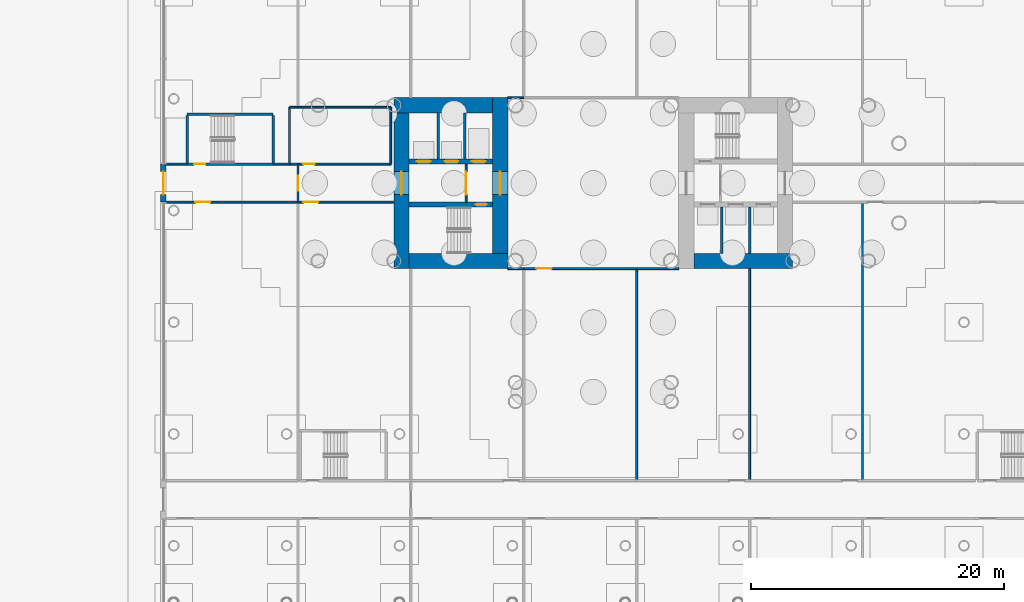
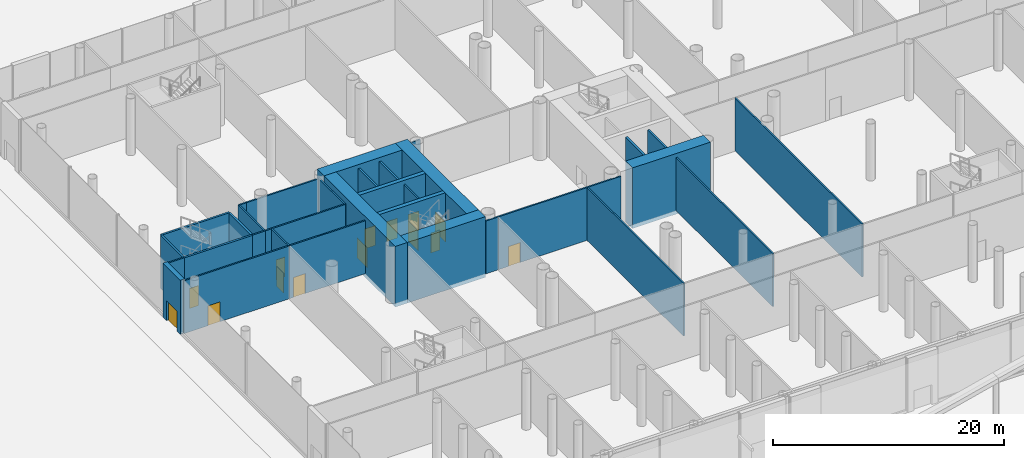
# One storey, part 29 of 75: 34 walls, 14 doors, 14 openings.
"""IFC4 building model written with IfcOpenShell, lengths in metres."""

from ifc_helpers import new_model, si_unit, direction, frame, frame_2d, origin, place, context, subcontext, project, spatial, rectangle, extrude, material, layer, layer_set, type_object, element, fill, save


model = new_model("IFC4")

# Units and contexts
model_context = context("Model", 3, precision=1e-05, world=origin(), true_north=direction((0.0, 1.0)))
body_context = subcontext(model_context, "Body", "Model", "MODEL_VIEW")
ifc_project = project(units=[si_unit("LENGTHUNIT", "METRE"), si_unit("AREAUNIT", "SQUARE_METRE"), si_unit("VOLUMEUNIT", "CUBIC_METRE"), si_unit("PLANEANGLEUNIT", "RADIAN"), si_unit("MASSUNIT", "GRAM", prefix="KILO")], contexts=[model_context])

# Site, building, storey
site_placement = place(None, origin())
site = spatial("IfcSite", under=ifc_project, at=site_placement, CompositionType="ELEMENT")
building_placement = place(site_placement, origin())
building = spatial("IfcBuilding", under=site, at=building_placement, Name="Ipe Terrace Towers", CompositionType="ELEMENT")
storey_placement = place(building_placement, origin())
storey = spatial("IfcBuildingStorey", under=building, at=storey_placement, Name="L00", CompositionType="ELEMENT", Elevation=0.0)

# Wall, opening, door
ifc_material_1 = material(Name="Gypsum board partition", Category="plasterboard")
ifc_layer_1 = layer(ifc_material_1, 0.14990234375)
ifc_layer_set_1 = layer_set([ifc_layer_1], Name="Gypsum board partition 150 mm")
wall_type_1 = type_object("IfcWallType", Name="Gypsum board partition 150 mm", PredefinedType="PARTITIONING", material=ifc_layer_set_1)
wall_1_placement = place(storey_placement, frame((-46.050048828125, 1.5, 0.0), z_axis=(0.0, 0.0, 1.0), x_axis=(0.0, -1.0, 0.0)))
wall_1 = element("IfcWall", 1, at=wall_1_placement, inside=storey, type_object=wall_type_1, Name="Gypsum board partition T1 L00 t1c2-lobby-wall", PredefinedType="PARTITIONING", context=body_context, shape_type="SweptSolid", body=[
    extrude(rectangle(XDim=3.0, YDim=0.14990234375, at=frame_2d((1.5, 0.0))), origin(), (0.0, 0.0, 1.0), 5.580078125),
])
opening_1_placement = place(wall_1_placement, frame((0.60009765625, 0.0, 0.0)))
opening_1 = element("IfcOpeningElement", 2, at=opening_1_placement, cuts=wall_1, Name="Opening T1C2-VD", PredefinedType="OPENING", context=body_context, shape_type="SweptSolid", body=[
    extrude(rectangle(XDim=1.800048828125, YDim=2.10009765625, at=frame_2d((0.89990234375, 1.050048828125))), frame((0.0, 0.0849609375, 0.0), z_axis=(0.0, -1.0, 0.0), x_axis=(1.0, 0.0, 0.0)), (0.0, 0.0, 1.0), 0.169921875),
])
ifc_material_2 = material(Name="Fire-rated timber door leaf", Category="wood")
door_type_1 = type_object("IfcDoorType", Name="Lobby door 1800 x 2100 FD60", OperationType="NOTDEFINED", PredefinedType="DOOR", material=ifc_material_2)
door_1_placement = place(opening_1_placement, origin())
door_1 = element("IfcDoor", 3, at=door_1_placement, inside=storey, type_object=door_type_1, Name="Lobby door T1C2-VD", OperationType="SINGLE_SWING_LEFT", OverallHeight=2.10009765625, OverallWidth=1.800048828125, PredefinedType="DOOR", context=body_context, shape_type="SweptSolid", body=[
    extrude(rectangle(XDim=1.800048828125, YDim=2.10009765625, at=frame_2d((0.89990234375, 1.050048828125))), frame((0.0, 0.02490234375, 0.0), z_axis=(0.0, -1.0, 0.0), x_axis=(1.0, 0.0, 0.0)), (0.0, 0.0, 1.0), 0.050048828125),
])
fill(opening_1, door_1)

# Walls
wall_2_placement = place(storey_placement, frame((-60.0, 1.5, 0.0), z_axis=(0.0, 0.0, 1.0), x_axis=(-1.0, 0.0, 0.0)))
element("IfcWall", 4, at=wall_2_placement, inside=storey, type_object=wall_type_1, Name="Gypsum board partition T1 L00 pd-r0-w0", PredefinedType="PARTITIONING", context=body_context, shape_type="SweptSolid", body=[
    extrude(rectangle(XDim=1.2900390625, YDim=0.14990234375, at=frame_2d((0.64501953125, 0.0))), origin(), (0.0, 0.0, 1.0), 5.580078125),
])
wall_3_placement = place(storey_placement, frame((-68.090087890625, 1.5, 0.0), z_axis=(0.0, 0.0, 1.0), x_axis=(-1.0, 0.0, 0.0)))
element("IfcWall", 5, at=wall_3_placement, inside=storey, type_object=wall_type_1, Name="Gypsum board partition T1 L00 pd-r0-w1", PredefinedType="PARTITIONING", context=body_context, shape_type="SweptSolid", body=[
    extrude(rectangle(XDim=1.760009765625, YDim=0.14990234375, at=frame_2d((0.8798828125, 0.0))), origin(), (0.0, 0.0, 1.0), 5.580078125),
])

# Wall, opening, door
wall_4_placement = place(storey_placement, frame((-69.85009765625, -1.5, 0.0), z_axis=(0.0, 0.0, 1.0), x_axis=(1.0, 0.0, 0.0)))
wall_4 = element("IfcWall", 6, at=wall_4_placement, inside=storey, type_object=wall_type_1, Name="Gypsum board partition T1 L00 pd-r2-w6", PredefinedType="PARTITIONING", context=body_context, shape_type="SweptSolid", body=[
    extrude(rectangle(XDim=10.52001953125, YDim=0.14990234375, at=frame_2d((5.260009765625, 0.0))), origin(), (0.0, 0.0, 1.0), 5.580078125),
])
opening_2_placement = place(wall_4_placement, frame((2.39990234375, 0.0, 0.0)))
opening_2 = element("IfcOpeningElement", 7, at=opening_2_placement, cuts=wall_4, Name="Opening PD-L00-r2", PredefinedType="OPENING", context=body_context, shape_type="SweptSolid", body=[
    extrude(rectangle(XDim=1.199951171875, YDim=2.10009765625, at=frame_2d((0.60009765625, 1.050048828125))), frame((0.0, 0.0849609375, 0.0), z_axis=(0.0, -1.0, 0.0), x_axis=(1.0, 0.0, 0.0)), (0.0, 0.0, 1.0), 0.169921875),
])
ifc_material_3 = material(Name="Fire-rated timber door leaf", Category="wood")
door_type_2 = type_object("IfcDoorType", Name="Lounge door 1200 x 2100 FD30S", OperationType="NOTDEFINED", PredefinedType="DOOR", material=ifc_material_3)
door_2_placement = place(opening_2_placement, origin())
door_2 = element("IfcDoor", 8, at=door_2_placement, inside=storey, type_object=door_type_2, Name="Lounge door PD-L00-r2", OperationType="SINGLE_SWING_RIGHT", OverallHeight=2.10009765625, OverallWidth=1.199951171875, PredefinedType="DOOR", context=body_context, shape_type="SweptSolid", body=[
    extrude(rectangle(XDim=1.199951171875, YDim=2.10009765625, at=frame_2d((0.60009765625, 1.050048828125))), frame((0.0, 0.02490234375, 0.0), z_axis=(0.0, -1.0, 0.0), x_axis=(1.0, 0.0, 0.0)), (0.0, 0.0, 1.0), 0.050048828125),
])
fill(opening_2, door_2)

wall_5_placement = place(storey_placement, frame((-59.330078125, -1.5, 0.0), z_axis=(0.0, 0.0, 1.0), x_axis=(1.0, 0.0, 0.0)))
wall_5 = element("IfcWall", 9, at=wall_5_placement, inside=storey, type_object=wall_type_1, Name="Gypsum board partition T1 L00 pd-r5-w13", PredefinedType="PARTITIONING", context=body_context, shape_type="SweptSolid", body=[
    extrude(rectangle(XDim=7.580078125, YDim=0.14990234375, at=frame_2d((3.7900390625, 0.0))), origin(), (0.0, 0.0, 1.0), 5.580078125),
])
opening_3_placement = place(wall_5_placement, frame((0.39990234375, 0.0, 0.0)))
opening_3 = element("IfcOpeningElement", 10, at=opening_3_placement, cuts=wall_5, Name="Opening PD-L00-r5", PredefinedType="OPENING", context=body_context, shape_type="SweptSolid", body=[
    extrude(rectangle(XDim=1.199951171875, YDim=2.10009765625, at=frame_2d((0.60009765625, 1.050048828125))), frame((0.0, 0.0849609375, 0.0), z_axis=(0.0, -1.0, 0.0), x_axis=(1.0, 0.0, 0.0)), (0.0, 0.0, 1.0), 0.169921875),
])
door_3_placement = place(opening_3_placement, origin())
door_3 = element("IfcDoor", 11, at=door_3_placement, inside=storey, type_object=door_type_2, Name="Lounge door PD-L00-r5", OperationType="SINGLE_SWING_RIGHT", OverallHeight=2.10009765625, OverallWidth=1.199951171875, PredefinedType="DOOR", context=body_context, shape_type="SweptSolid", body=[
    extrude(rectangle(XDim=1.199951171875, YDim=2.10009765625, at=frame_2d((0.60009765625, 1.050048828125))), frame((0.0, 0.02490234375, 0.0), z_axis=(0.0, -1.0, 0.0), x_axis=(1.0, 0.0, 0.0)), (0.0, 0.0, 1.0), 0.050048828125),
])
fill(opening_3, door_3)

# Walls
for number, where, z_axis, x_axis, name in (
    (12, (-42.75, -6.75, 0.0), (0.0, 0.0, 1.0), (1.0, 0.0, 0.0), "Gypsum board partition T1 L00 pd-r9-w19"),
    (13, (-41.489990234375, 6.75, 0.0), (0.0, 0.0, 1.0), (-1.0, 0.0, 0.0), "Gypsum board partition T1 L00 pd-r11-w25"),
):
    element("IfcWall", number, at=place(storey_placement, frame(where, z_axis=z_axis, x_axis=x_axis)), inside=storey, type_object=wall_type_1, Name=name, PredefinedType="PARTITIONING", context=body_context, shape_type="SweptSolid", body=[
        extrude(rectangle(XDim=1.260009765625, YDim=0.14990234375, at=frame_2d((0.6298828125, 0.0))), origin(), (0.0, 0.0, 1.0), 5.580078125),
    ])

# Wall, opening, door
wall_6_placement = place(storey_placement, frame((-41.489990234375, -6.75, 0.0), z_axis=(0.0, 0.0, 1.0), x_axis=(1.0, 0.0, 0.0)))
wall_6 = element("IfcWall", 14, at=wall_6_placement, inside=storey, type_object=wall_type_1, Name="Gypsum board partition T1 L00 pd-r13-w31", PredefinedType="PARTITIONING", context=body_context, shape_type="SweptSolid", body=[
    extrude(rectangle(XDim=8.919921875, YDim=0.14990234375, at=frame_2d((4.4599609375, 0.0))), origin(), (0.0, 0.0, 1.0), 5.580078125),
])
opening_4_placement = place(wall_6_placement, frame((1.0, 0.0, 0.0)))
opening_4 = element("IfcOpeningElement", 15, at=opening_4_placement, cuts=wall_6, Name="Opening PD-L00-r13", PredefinedType="OPENING", context=body_context, shape_type="SweptSolid", body=[
    extrude(rectangle(XDim=1.199951171875, YDim=2.10009765625, at=frame_2d((0.60009765625, 1.050048828125))), frame((0.0, 0.0849609375, 0.0), z_axis=(0.0, -1.0, 0.0), x_axis=(1.0, 0.0, 0.0)), (0.0, 0.0, 1.0), 0.169921875),
])
door_4_placement = place(opening_4_placement, origin())
door_4 = element("IfcDoor", 16, at=door_4_placement, inside=storey, type_object=door_type_2, Name="Lounge door PD-L00-r13", OperationType="SINGLE_SWING_RIGHT", OverallHeight=2.10009765625, OverallWidth=1.199951171875, PredefinedType="DOOR", context=body_context, shape_type="SweptSolid", body=[
    extrude(rectangle(XDim=1.199951171875, YDim=2.10009765625, at=frame_2d((0.60009765625, 1.050048828125))), frame((0.0, 0.02490234375, 0.0), z_axis=(0.0, -1.0, 0.0), x_axis=(1.0, 0.0, 0.0)), (0.0, 0.0, 1.0), 0.050048828125),
])
fill(opening_4, door_4)

# Walls
wall_7_placement = place(storey_placement, frame((-32.570068359375, -6.75, 0.0), z_axis=(0.0, 0.0, 1.0), x_axis=(0.0, -1.0, 0.0)))
element("IfcWall", 17, at=wall_7_placement, inside=storey, type_object=wall_type_1, Name="Gypsum board partition T1 L00 pd-r13-r17-w34", PredefinedType="PARTITIONING", context=body_context, shape_type="SweptSolid", body=[
    extrude(rectangle(XDim=16.75, YDim=0.14990234375, at=frame_2d((8.375, 0.0))), origin(), (0.0, 0.0, 1.0), 5.580078125),
])
wall_8_placement = place(storey_placement, frame((-32.570068359375, -6.75, 0.0), z_axis=(0.0, 0.0, 1.0), x_axis=(1.0, 0.0, 0.0)))
element("IfcWall", 18, at=wall_8_placement, inside=storey, type_object=wall_type_1, Name="Gypsum board partition T1 L00 pd-r17-w42", PredefinedType="PARTITIONING", context=body_context, shape_type="SweptSolid", body=[
    extrude(rectangle(XDim=3.320068359375, YDim=0.14990234375, at=frame_2d((1.66015625, 0.0))), origin(), (0.0, 0.0, 1.0), 5.580078125),
])
wall_9_placement = place(storey_placement, frame((-23.64990234375, -6.75, 0.0), z_axis=(0.0, 0.0, 1.0), x_axis=(0.0, -1.0, 0.0)))
element("IfcWall", 19, at=wall_9_placement, inside=storey, type_object=wall_type_1, Name="Gypsum board partition T1 L00 pd-r17-r22-w44", PredefinedType="PARTITIONING", context=body_context, shape_type="SweptSolid", body=[
    extrude(rectangle(XDim=16.75, YDim=0.14990234375, at=frame_2d((8.375, 0.0))), origin(), (0.0, 0.0, 1.0), 5.580078125),
])
wall_10_placement = place(storey_placement, frame((-14.72998046875, -1.5, 0.0), z_axis=(0.0, 0.0, 1.0), x_axis=(0.0, -1.0, 0.0)))
element("IfcWall", 20, at=wall_10_placement, inside=storey, type_object=wall_type_1, Name="Gypsum board partition T1 L00 pd-r22-r25-w56", PredefinedType="PARTITIONING", context=body_context, shape_type="SweptSolid", body=[
    extrude(rectangle(XDim=22.0, YDim=0.14990234375, at=frame_2d((11.0, 0.0))), origin(), (0.0, 0.0, 1.0), 5.580078125),
])

# Wall, opening, door
wall_11_placement = place(storey_placement, frame((-60.0, 1.5, 0.0), z_axis=(0.0, 0.0, 1.0), x_axis=(1.0, 0.0, 0.0)))
wall_11 = element("IfcWall", 21, at=wall_11_placement, inside=storey, type_object=wall_type_1, Name="Gypsum board partition T1 L00 pd-c0-w66", PredefinedType="PARTITIONING", context=body_context, shape_type="SweptSolid", body=[
    extrude(rectangle(XDim=8.0, YDim=0.14990234375, at=frame_2d((4.0, 0.0))), origin(), (0.0, 0.0, 1.0), 5.580078125),
])
opening_5_placement = place(wall_11_placement, frame((1.10009765625, 0.0, 0.0)))
opening_5 = element("IfcOpeningElement", 22, at=opening_5_placement, cuts=wall_11, Name="Opening PD-L00-c0", PredefinedType="OPENING", context=body_context, shape_type="SweptSolid", body=[
    extrude(rectangle(XDim=0.89990234375, YDim=2.10009765625, at=frame_2d((0.449951171875, 1.050048828125))), frame((0.0, 0.0849609375, 0.0), z_axis=(0.0, -1.0, 0.0), x_axis=(1.0, 0.0, 0.0)), (0.0, 0.0, 1.0), 0.169921875),
])
ifc_material_4 = material(Name="Fire-rated timber door leaf", Category="wood")
door_type_3 = type_object("IfcDoorType", Name="Lounge door 900 x 2100 FD30S", OperationType="NOTDEFINED", PredefinedType="DOOR", material=ifc_material_4)
door_5_placement = place(opening_5_placement, origin())
door_5 = element("IfcDoor", 23, at=door_5_placement, inside=storey, type_object=door_type_3, Name="Lounge door PD-L00-c0", OperationType="SINGLE_SWING_LEFT", OverallHeight=2.10009765625, OverallWidth=0.89990234375, PredefinedType="DOOR", context=body_context, shape_type="SweptSolid", body=[
    extrude(rectangle(XDim=0.89990234375, YDim=2.10009765625, at=frame_2d((0.449951171875, 1.050048828125))), frame((0.0, 0.02490234375, 0.0), z_axis=(0.0, -1.0, 0.0), x_axis=(1.0, 0.0, 0.0)), (0.0, 0.0, 1.0), 0.050048828125),
])
fill(opening_5, door_5)

# Walls
wall_12_placement = place(storey_placement, frame((-59.31005859375, 6.0, 0.0), z_axis=(0.0, 0.0, 1.0), x_axis=(-1.0, 0.0, 0.0)))
element("IfcWall", 24, at=wall_12_placement, inside=storey, type_object=wall_type_1, Name="Gypsum board partition T1 L00 pd-c0-r0-w67", PredefinedType="PARTITIONING", context=body_context, shape_type="SweptSolid", body=[
    extrude(rectangle(XDim=0.68994140625, YDim=0.14990234375, at=frame_2d((0.344970703125, 0.0))), origin(), (0.0, 0.0, 1.0), 5.580078125),
])
for number, where, z_axis, x_axis, name in (
    (25, (-60.0, 6.0, 0.0), (0.0, 0.0, 1.0), (0.0, -1.0, 0.0), "Gypsum board partition T1 L00 pd-c0-r0-w68"),
    (26, (-52.0, 1.5, 0.0), (0.0, 0.0, 1.0), (0.0, 1.0, 0.0), "Gypsum board partition T1 L00 pd-c0-r7-w69"),
):
    element("IfcWall", number, at=place(storey_placement, frame(where, z_axis=z_axis, x_axis=x_axis)), inside=storey, type_object=wall_type_1, Name=name, PredefinedType="PARTITIONING", context=body_context, shape_type="SweptSolid", body=[
        extrude(rectangle(XDim=4.5, YDim=0.14990234375, at=frame_2d((2.25, 0.0))), origin(), (0.0, 0.0, 1.0), 5.580078125),
    ])
wall_13_placement = place(storey_placement, frame((-52.0, 6.0, 0.0), z_axis=(0.0, 0.0, 1.0), x_axis=(-1.0, 0.0, 0.0)))
element("IfcWall", 27, at=wall_13_placement, inside=storey, type_object=wall_type_1, Name="Gypsum board partition T1 L00 pd-c0-r7-w70", PredefinedType="PARTITIONING", context=body_context, shape_type="SweptSolid", body=[
    extrude(rectangle(XDim=7.35009765625, YDim=0.14990234375, at=frame_2d((3.675048828125, 0.0))), origin(), (0.0, 0.0, 1.0), 5.580078125),
])

# Wall, opening, door
wall_14_placement = place(storey_placement, frame((-59.330078125, -1.5, 0.0), z_axis=(0.0, 0.0, 1.0), x_axis=(0.0, 1.0, 0.0)))
wall_14 = element("IfcWall", 28, at=wall_14_placement, inside=storey, type_object=wall_type_1, Name="Gypsum board partition T1 L00 pd-xp7", PredefinedType="PARTITIONING", context=body_context, shape_type="SweptSolid", body=[
    extrude(rectangle(XDim=3.0, YDim=0.14990234375, at=frame_2d((1.5, 0.0))), origin(), (0.0, 0.0, 1.0), 5.580078125),
])
opening_6_placement = place(wall_14_placement, frame((0.89990234375, 0.0, 0.0)))
opening_6 = element("IfcOpeningElement", 29, at=opening_6_placement, cuts=wall_14, Name="Opening PD-L00-XP7", PredefinedType="OPENING", context=body_context, shape_type="SweptSolid", body=[
    extrude(rectangle(XDim=1.199951171875, YDim=2.10009765625, at=frame_2d((0.60009765625, 1.050048828125))), frame((0.0, 0.0849609375, 0.0), z_axis=(0.0, -1.0, 0.0), x_axis=(1.0, 0.0, 0.0)), (0.0, 0.0, 1.0), 0.169921875),
])
ifc_material_5 = material(Name="Fire-rated timber door leaf", Category="wood")
door_type_4 = type_object("IfcDoorType", Name="Fire door 1200 x 2100 FD60", OperationType="NOTDEFINED", PredefinedType="DOOR", material=ifc_material_5)
door_6_placement = place(opening_6_placement, origin())
door_6 = element("IfcDoor", 30, at=door_6_placement, inside=storey, type_object=door_type_4, Name="Fire door PD-L00-XP7", OperationType="SINGLE_SWING_RIGHT", OverallHeight=2.10009765625, OverallWidth=1.199951171875, PredefinedType="DOOR", context=body_context, shape_type="SweptSolid", body=[
    extrude(rectangle(XDim=1.199951171875, YDim=2.10009765625, at=frame_2d((0.60009765625, 1.050048828125))), frame((0.0, 0.02490234375, 0.0), z_axis=(0.0, -1.0, 0.0), x_axis=(1.0, 0.0, 0.0)), (0.0, 0.0, 1.0), 0.050048828125),
])
fill(opening_6, door_6)

# Walls
ifc_material_6 = material(Name="Gypsum board party wall", Category="plasterboard")
ifc_layer_2 = layer(ifc_material_6, 0.199951171875)
ifc_layer_set_2 = layer_set([ifc_layer_2], Name="Gypsum board party wall 200 mm")
wall_type_2 = type_object("IfcWallType", Name="Gypsum board party wall 200 mm", PredefinedType="SOLIDWALL", material=ifc_layer_set_2)
for number, where, z_axis, x_axis, name in (
    (31, (-25.85009765625, -5.550048828125, 0.0), (0.0, 0.0, 1.0), (0.0, 1.0, 0.0), "Gypsum board party wall T1 L00 t1c1-shaft-div1"),
    (32, (-23.64990234375, -5.550048828125, 0.0), (0.0, 0.0, 1.0), (0.0, 1.0, 0.0), "Gypsum board party wall T1 L00 t1c1-shaft-div2"),
    (33, (-46.14990234375, 5.550048828125, 0.0), (0.0, 0.0, 1.0), (0.0, -1.0, 0.0), "Gypsum board party wall T1 L00 t1c2-shaft-div1"),
    (34, (-48.25, 5.550048828125, 0.0), (0.0, 0.0, 1.0), (0.0, -1.0, 0.0), "Gypsum board party wall T1 L00 t1c2-shaft-div2"),
):
    element("IfcWall", number, at=place(storey_placement, frame(where, z_axis=z_axis, x_axis=x_axis)), inside=storey, type_object=wall_type_2, Name=name, PredefinedType="SOLIDWALL", context=body_context, shape_type="SweptSolid", body=[
        extrude(rectangle(XDim=3.650146484375, YDim=0.199951171875, at=frame_2d((1.8251953125, 0.0))), origin(), (0.0, 0.0, 1.0), 5.580078125),
    ])

# Wall, opening, door
ifc_material_7 = material(Name="Concrete C40/50 with buff precast cladding", Category="concrete")
ifc_layer_3 = layer(ifc_material_7, 0.43994140625)
ifc_layer_set_3 = layer_set([ifc_layer_3], Name="PODIUM CLADDING WALL 440")
wall_type_3 = type_object("IfcWallType", Name="PODIUM CLADDING WALL 440", PredefinedType="STANDARD", material=ifc_layer_set_3)
wall_15_placement = place(storey_placement, frame((-69.969970703125, 1.5, 0.0), z_axis=(0.0, 0.0, 1.0), x_axis=(0.0, -1.0, 0.0)))
wall_15 = element("IfcWall", 35, at=wall_15_placement, inside=storey, type_object=wall_type_3, Name="POD-W-L00-02d wall", PredefinedType="STANDARD", context=body_context, shape_type="SweptSolid", body=[
    extrude(rectangle(XDim=3.0, YDim=0.43994140625, at=frame_2d((1.5, 0.0))), origin(), (0.0, 0.0, 1.0), 5.699951171875),
])
opening_7_placement = place(wall_15_placement, frame((0.60009765625, 0.0, 0.0)))
opening_7 = element("IfcOpeningElement", 36, at=opening_7_placement, cuts=wall_15, Name="Opening POD-D-L00-01", PredefinedType="OPENING", context=body_context, shape_type="SweptSolid", body=[
    extrude(rectangle(XDim=1.800048828125, YDim=2.10009765625, at=frame_2d((0.89990234375, 1.050048828125))), frame((0.0, 0.22998046875, 0.0), z_axis=(0.0, -1.0, 0.0), x_axis=(1.0, 0.0, 0.0)), (0.0, 0.0, 1.0), 0.4599609375),
])
ifc_material_8 = material(Name="Steel S235 framed glazed exit door", Category="steel")
door_type_5 = type_object("IfcDoorType", Name="EXIT DOOR 1800 DOUBLE", OperationType="DOUBLE_DOOR_DOUBLE_SWING", PredefinedType="DOOR", material=ifc_material_8)
door_7_placement = place(opening_7_placement, origin())
door_7 = element("IfcDoor", 37, at=door_7_placement, inside=storey, type_object=door_type_5, Name="DX1 exit door", OperationType="DOUBLE_DOOR_DOUBLE_SWING", OverallHeight=2.10009765625, OverallWidth=1.800048828125, PredefinedType="DOOR", context=body_context, shape_type="SweptSolid", body=[
    extrude(rectangle(XDim=1.800048828125, YDim=2.10009765625, at=frame_2d((0.89990234375, 1.050048828125))), frame((0.0, 0.02490234375, 0.0), z_axis=(0.0, -1.0, 0.0), x_axis=(1.0, 0.0, 0.0)), (0.0, 0.0, 1.0), 0.050048828125),
])
fill(opening_7, door_7)

# Walls
ifc_material_9 = material(Name="Concrete C60/75", Category="concrete")
ifc_layer_4 = layer(ifc_material_9, 1.199951171875)
ifc_layer_set_4 = layer_set([ifc_layer_4], Name="RW1200 CORE WALL 1200 C60-75")
wall_type_4 = type_object("IfcWallType", Name="RW1200 CORE WALL 1200 C60-75", PredefinedType="SHEAR", material=ifc_layer_set_4)
for number, where, z_axis, x_axis, name in (
    (38, (-28.050048828125, -6.14990234375, -0.39990234375), (0.0, 0.0, 1.0), (1.0, 0.0, 0.0), "Core wall T1-C1-P-W01"),
    (39, (-50.550048828125, -6.14990234375, -0.39990234375), (0.0, 0.0, 1.0), (1.0, 0.0, 0.0), "Core wall T1-C2-P-W01"),
):
    element("IfcWall", number, at=place(storey_placement, frame(where, z_axis=z_axis, x_axis=x_axis)), inside=storey, type_object=wall_type_4, Name=name, PredefinedType="SHEAR", context=body_context, shape_type="SweptSolid", body=[
        extrude(rectangle(XDim=7.800048828125, YDim=1.199951171875, at=frame_2d((3.89990234375, 0.0))), origin(), (0.0, 0.0, 1.0), 6.39990234375),
    ])

# Wall, opening, door
wall_16_placement = place(storey_placement, frame((-43.35009765625, -5.550048828125, -0.39990234375), z_axis=(0.0, 0.0, 1.0), x_axis=(0.0, 1.0, 0.0)))
wall_16 = element("IfcWall", 40, at=wall_16_placement, inside=storey, type_object=wall_type_4, Name="Core wall T1-C2-P-W02", PredefinedType="SHEAR", context=body_context, shape_type="SweptSolid", body=[
    extrude(rectangle(XDim=12.300048828125, YDim=1.199951171875, at=frame_2d((6.14990234375, 0.0))), origin(), (0.0, 0.0, 1.0), 6.39990234375),
])
opening_8_placement = place(wall_16_placement, frame((4.64990234375, 0.0, 0.39990234375)))
opening_8 = element("IfcOpeningElement", 41, at=opening_8_placement, cuts=wall_16, Name="Opening T1C2-ND", PredefinedType="OPENING", context=body_context, shape_type="SweptSolid", body=[
    extrude(rectangle(XDim=1.800048828125, YDim=2.10009765625, at=frame_2d((0.89990234375, 1.050048828125))), frame((0.0, 0.60986328125, 0.0), z_axis=(0.0, -1.0, 0.0), x_axis=(1.0, 0.0, 0.0)), (0.0, 0.0, 1.0), 1.219970703125),
])
ifc_material_10 = material(Name="Fire-rated timber door leaf", Category="wood")
door_type_6 = type_object("IfcDoorType", Name="Fire door 1800 x 2100 FD30S", OperationType="NOTDEFINED", PredefinedType="DOOR", material=ifc_material_10)
door_8_placement = place(opening_8_placement, origin())
door_8 = element("IfcDoor", 42, at=door_8_placement, inside=storey, type_object=door_type_6, Name="Fire door T1C2-ND", OperationType="SINGLE_SWING_LEFT", OverallHeight=2.10009765625, OverallWidth=1.800048828125, PredefinedType="DOOR", context=body_context, shape_type="SweptSolid", body=[
    extrude(rectangle(XDim=1.800048828125, YDim=2.10009765625, at=frame_2d((0.89990234375, 1.050048828125))), frame((0.0, 0.02490234375, 0.0), z_axis=(0.0, -1.0, 0.0), x_axis=(1.0, 0.0, 0.0)), (0.0, 0.0, 1.0), 0.050048828125),
])
fill(opening_8, door_8)

# Wall
wall_17_placement = place(storey_placement, frame((-43.949951171875, 6.14990234375, -0.39990234375), z_axis=(0.0, 0.0, 1.0), x_axis=(-1.0, 0.0, 0.0)))
element("IfcWall", 43, at=wall_17_placement, inside=storey, type_object=wall_type_4, Name="Core wall T1-C2-P-W03", PredefinedType="SHEAR", context=body_context, shape_type="SweptSolid", body=[
    extrude(rectangle(XDim=7.800048828125, YDim=1.199951171875, at=frame_2d((3.89990234375, 0.0))), origin(), (0.0, 0.0, 1.0), 6.39990234375),
])

# Wall, opening, door
wall_18_placement = place(storey_placement, frame((-51.14990234375, 5.550048828125, -0.39990234375), z_axis=(0.0, 0.0, 1.0), x_axis=(0.0, -1.0, 0.0)))
wall_18 = element("IfcWall", 44, at=wall_18_placement, inside=storey, type_object=wall_type_4, Name="Core wall T1-C2-P-W04", PredefinedType="SHEAR", context=body_context, shape_type="SweptSolid", body=[
    extrude(rectangle(XDim=12.300048828125, YDim=1.199951171875, at=frame_2d((6.14990234375, 0.0))), origin(), (0.0, 0.0, 1.0), 6.39990234375),
])
opening_9_placement = place(wall_18_placement, frame((4.64990234375, 0.0, 0.39990234375)))
opening_9 = element("IfcOpeningElement", 45, at=opening_9_placement, cuts=wall_18, Name="Opening T1C2-FD", PredefinedType="OPENING", context=body_context, shape_type="SweptSolid", body=[
    extrude(rectangle(XDim=1.800048828125, YDim=2.10009765625, at=frame_2d((0.89990234375, 1.050048828125))), frame((0.0, 0.60986328125, 0.0), z_axis=(0.0, -1.0, 0.0), x_axis=(1.0, 0.0, 0.0)), (0.0, 0.0, 1.0), 1.219970703125),
])
door_9_placement = place(opening_9_placement, origin())
door_9 = element("IfcDoor", 46, at=door_9_placement, inside=storey, type_object=door_type_6, Name="Fire door T1C2-FD", OperationType="SINGLE_SWING_LEFT", OverallHeight=2.10009765625, OverallWidth=1.800048828125, PredefinedType="DOOR", context=body_context, shape_type="SweptSolid", body=[
    extrude(rectangle(XDim=1.800048828125, YDim=2.10009765625, at=frame_2d((0.89990234375, 1.050048828125))), frame((0.0, 0.02490234375, 0.0), z_axis=(0.0, -1.0, 0.0), x_axis=(1.0, 0.0, 0.0)), (0.0, 0.0, 1.0), 0.050048828125),
])
fill(opening_9, door_9)

ifc_material_11 = material(Name="Concrete C40/50", Category="concrete")
ifc_layer_5 = layer(ifc_material_11, 0.199951171875)
ifc_layer_set_5 = layer_set([ifc_layer_5], Name="RW200 PODIUM STAIR SHAFT WALL 200 C40-50")
wall_type_5 = type_object("IfcWallType", Name="RW200 PODIUM STAIR SHAFT WALL 200 C40-50", PredefinedType="SHEAR", material=ifc_layer_set_5)
wall_19_placement = place(storey_placement, frame((-68.090087890625, 1.5, 0.0), z_axis=(0.0, 0.0, 1.0), x_axis=(1.0, 0.0, 0.0)))
wall_19 = element("IfcWall", 47, at=wall_19_placement, inside=storey, type_object=wall_type_5, Name="Stair shaft wall T1 L00 ps7-c", PredefinedType="SHEAR", context=body_context, shape_type="SweptSolid", body=[
    extrude(rectangle(XDim=6.800048828125, YDim=0.199951171875, at=frame_2d((3.39990234375, 0.0))), origin(), (0.0, 0.0, 1.0), 5.580078125),
])
opening_10_placement = place(wall_19_placement, frame((0.550048828125, 0.0, 0.0)))
opening_10 = element("IfcOpeningElement", 48, at=opening_10_placement, cuts=wall_19, Name="Opening PS7-SD", PredefinedType="OPENING", context=body_context, shape_type="SweptSolid", body=[
    extrude(rectangle(XDim=0.89990234375, YDim=2.10009765625, at=frame_2d((0.449951171875, 1.050048828125))), frame((0.0, 0.10986328125, 0.0), z_axis=(0.0, -1.0, 0.0), x_axis=(1.0, 0.0, 0.0)), (0.0, 0.0, 1.0), 0.219970703125),
])
ifc_material_12 = material(Name="Fire-rated timber door leaf", Category="wood")
door_type_7 = type_object("IfcDoorType", Name="Stair door 900 x 2100 FD60", OperationType="NOTDEFINED", PredefinedType="DOOR", material=ifc_material_12)
door_10_placement = place(opening_10_placement, origin())
door_10 = element("IfcDoor", 49, at=door_10_placement, inside=storey, type_object=door_type_7, Name="Stair door PS7-SD", OperationType="SINGLE_SWING_RIGHT", OverallHeight=2.10009765625, OverallWidth=0.89990234375, PredefinedType="DOOR", context=body_context, shape_type="SweptSolid", body=[
    extrude(rectangle(XDim=0.89990234375, YDim=2.10009765625, at=frame_2d((0.449951171875, 1.050048828125))), frame((0.0, 0.02490234375, 0.0), z_axis=(0.0, -1.0, 0.0), x_axis=(1.0, 0.0, 0.0)), (0.0, 0.0, 1.0), 0.050048828125),
])
fill(opening_10, door_10)

# Walls
wall_20_placement = place(storey_placement, frame((-68.090087890625, 5.449951171875, 0.0), z_axis=(0.0, 0.0, 1.0), x_axis=(1.0, 0.0, 0.0)))
element("IfcWall", 50, at=wall_20_placement, inside=storey, type_object=wall_type_5, Name="Stair shaft wall T1 L00 ps7-f", PredefinedType="SHEAR", context=body_context, shape_type="SweptSolid", body=[
    extrude(rectangle(XDim=6.800048828125, YDim=0.199951171875, at=frame_2d((3.39990234375, 0.0))), origin(), (0.0, 0.0, 1.0), 5.580078125),
])
for number, where, z_axis, x_axis, name in (
    (51, (-68.090087890625, 1.60009765625, 0.0), (0.0, 0.0, 1.0), (0.0, 1.0, 0.0), "Stair shaft wall T1 L00 ps7-w"),
    (52, (-61.2900390625, 1.60009765625, 0.0), (0.0, 0.0, 1.0), (0.0, 1.0, 0.0), "Stair shaft wall T1 L00 ps7-e"),
):
    element("IfcWall", number, at=place(storey_placement, frame(where, z_axis=z_axis, x_axis=x_axis)), inside=storey, type_object=wall_type_5, Name=name, PredefinedType="SHEAR", context=body_context, shape_type="SweptSolid", body=[
        extrude(rectangle(XDim=3.75, YDim=0.199951171875, at=frame_2d((1.875, 0.0))), origin(), (0.0, 0.0, 1.0), 5.580078125),
    ])

# Wall, opening, door
ifc_material_13 = material(Name="Concrete C60/75", Category="concrete")
ifc_layer_6 = layer(ifc_material_13, 0.39990234375)
ifc_layer_set_6 = layer_set([ifc_layer_6], Name="RW400 CORE SPINE WALL 400 C60-75")
wall_type_6 = type_object("IfcWallType", Name="RW400 CORE SPINE WALL 400 C60-75", PredefinedType="SHEAR", material=ifc_layer_set_6)
wall_21_placement = place(storey_placement, frame((-50.550048828125, -1.699951171875, -0.39990234375), z_axis=(0.0, 0.0, 1.0), x_axis=(1.0, 0.0, 0.0)))
wall_21 = element("IfcWall", 53, at=wall_21_placement, inside=storey, type_object=wall_type_6, Name="Core spine wall T1-C2-P-SW1", PredefinedType="SHEAR", context=body_context, shape_type="SweptSolid", body=[
    extrude(rectangle(XDim=6.60009765625, YDim=0.39990234375, at=frame_2d((3.300048828125, 0.0))), origin(), (0.0, 0.0, 1.0), 6.39990234375),
])
opening_11_placement = place(wall_21_placement, frame((5.25, 0.0, 0.39990234375)))
opening_11 = element("IfcOpeningElement", 54, at=opening_11_placement, cuts=wall_21, Name="Opening T1C2-SD", PredefinedType="OPENING", context=body_context, shape_type="SweptSolid", body=[
    extrude(rectangle(XDim=0.89990234375, YDim=2.10009765625, at=frame_2d((0.449951171875, 1.050048828125))), frame((0.0, 0.2099609375, 0.0), z_axis=(0.0, -1.0, 0.0), x_axis=(1.0, 0.0, 0.0)), (0.0, 0.0, 1.0), 0.419921875),
])
door_11_placement = place(opening_11_placement, origin())
door_11 = element("IfcDoor", 55, at=door_11_placement, inside=storey, type_object=door_type_7, Name="Stair door T1C2-SD", OperationType="SINGLE_SWING_RIGHT", OverallHeight=2.10009765625, OverallWidth=0.89990234375, PredefinedType="DOOR", context=body_context, shape_type="SweptSolid", body=[
    extrude(rectangle(XDim=0.89990234375, YDim=2.10009765625, at=frame_2d((0.449951171875, 1.050048828125))), frame((0.0, 0.02490234375, 0.0), z_axis=(0.0, -1.0, 0.0), x_axis=(1.0, 0.0, 0.0)), (0.0, 0.0, 1.0), 0.050048828125),
])
fill(opening_11, door_11)

# Wall, openings, doors
wall_22_placement = place(storey_placement, frame((-50.550048828125, 1.699951171875, -0.39990234375), z_axis=(0.0, 0.0, 1.0), x_axis=(1.0, 0.0, 0.0)))
wall_22 = element("IfcWall", 56, at=wall_22_placement, inside=storey, type_object=wall_type_6, Name="Core spine wall T1-C2-P-SW2", PredefinedType="SHEAR", context=body_context, shape_type="SweptSolid", body=[
    extrude(rectangle(XDim=6.60009765625, YDim=0.39990234375, at=frame_2d((3.300048828125, 0.0))), origin(), (0.0, 0.0, 1.0), 6.39990234375),
])
opening_12_placement = place(wall_22_placement, frame((4.949951171875, 0.0, 0.39990234375)))
opening_12 = element("IfcOpeningElement", 57, at=opening_12_placement, cuts=wall_22, Name="Opening T1C2-LD1", PredefinedType="OPENING", context=body_context, shape_type="SweptSolid", body=[
    extrude(rectangle(XDim=1.10009765625, YDim=2.10009765625, at=frame_2d((0.550048828125, 1.050048828125))), frame((0.0, 0.2099609375, 0.0), z_axis=(0.0, -1.0, 0.0), x_axis=(1.0, 0.0, 0.0)), (0.0, 0.0, 1.0), 0.419921875),
])
opening_13_placement = place(wall_22_placement, frame((2.800048828125, 0.0, 0.39990234375)))
opening_13 = element("IfcOpeningElement", 58, at=opening_13_placement, cuts=wall_22, Name="Opening T1C2-LD2", PredefinedType="OPENING", context=body_context, shape_type="SweptSolid", body=[
    extrude(rectangle(XDim=1.10009765625, YDim=2.10009765625, at=frame_2d((0.550048828125, 1.050048828125))), frame((0.0, 0.2099609375, 0.0), z_axis=(0.0, -1.0, 0.0), x_axis=(1.0, 0.0, 0.0)), (0.0, 0.0, 1.0), 0.419921875),
])
opening_14_placement = place(wall_22_placement, frame((0.60009765625, 0.0, 0.39990234375)))
opening_14 = element("IfcOpeningElement", 59, at=opening_14_placement, cuts=wall_22, Name="Opening T1C2-LD3", PredefinedType="OPENING", context=body_context, shape_type="SweptSolid", body=[
    extrude(rectangle(XDim=1.10009765625, YDim=2.10009765625, at=frame_2d((0.550048828125, 1.050048828125))), frame((0.0, 0.2099609375, 0.0), z_axis=(0.0, -1.0, 0.0), x_axis=(1.0, 0.0, 0.0)), (0.0, 0.0, 1.0), 0.419921875),
])
ifc_material_14 = material(Name="Fire-rated timber door leaf", Category="wood")
door_type_8 = type_object("IfcDoorType", Name="Sliding door 1100 x 2100 FD60", OperationType="SLIDING_TO_LEFT", PredefinedType="DOOR", material=ifc_material_14)
door_12_placement = place(opening_12_placement, origin())
door_12 = element("IfcDoor", 60, at=door_12_placement, inside=storey, type_object=door_type_8, Name="Sliding door T1C2-LD1", OperationType="SLIDING_TO_LEFT", OverallHeight=2.10009765625, OverallWidth=1.10009765625, PredefinedType="DOOR", context=body_context, shape_type="SweptSolid", body=[
    extrude(rectangle(XDim=1.10009765625, YDim=2.10009765625, at=frame_2d((0.550048828125, 1.050048828125))), frame((0.0, 0.02490234375, 0.0), z_axis=(0.0, -1.0, 0.0), x_axis=(1.0, 0.0, 0.0)), (0.0, 0.0, 1.0), 0.050048828125),
])
fill(opening_12, door_12)
door_13_placement = place(opening_13_placement, origin())
door_13 = element("IfcDoor", 61, at=door_13_placement, inside=storey, type_object=door_type_8, Name="Sliding door T1C2-LD2", OperationType="SLIDING_TO_LEFT", OverallHeight=2.10009765625, OverallWidth=1.10009765625, PredefinedType="DOOR", context=body_context, shape_type="SweptSolid", body=[
    extrude(rectangle(XDim=1.10009765625, YDim=2.10009765625, at=frame_2d((0.550048828125, 1.050048828125))), frame((0.0, 0.02490234375, 0.0), z_axis=(0.0, -1.0, 0.0), x_axis=(1.0, 0.0, 0.0)), (0.0, 0.0, 1.0), 0.050048828125),
])
fill(opening_13, door_13)
door_14_placement = place(opening_14_placement, origin())
door_14 = element("IfcDoor", 62, at=door_14_placement, inside=storey, type_object=door_type_8, Name="Sliding door T1C2-LD3", OperationType="SLIDING_TO_LEFT", OverallHeight=2.10009765625, OverallWidth=1.10009765625, PredefinedType="DOOR", context=body_context, shape_type="SweptSolid", body=[
    extrude(rectangle(XDim=1.10009765625, YDim=2.10009765625, at=frame_2d((0.550048828125, 1.050048828125))), frame((0.0, 0.02490234375, 0.0), z_axis=(0.0, -1.0, 0.0), x_axis=(1.0, 0.0, 0.0)), (0.0, 0.0, 1.0), 0.050048828125),
])
fill(opening_14, door_14)

save(model, "model.ifc")
